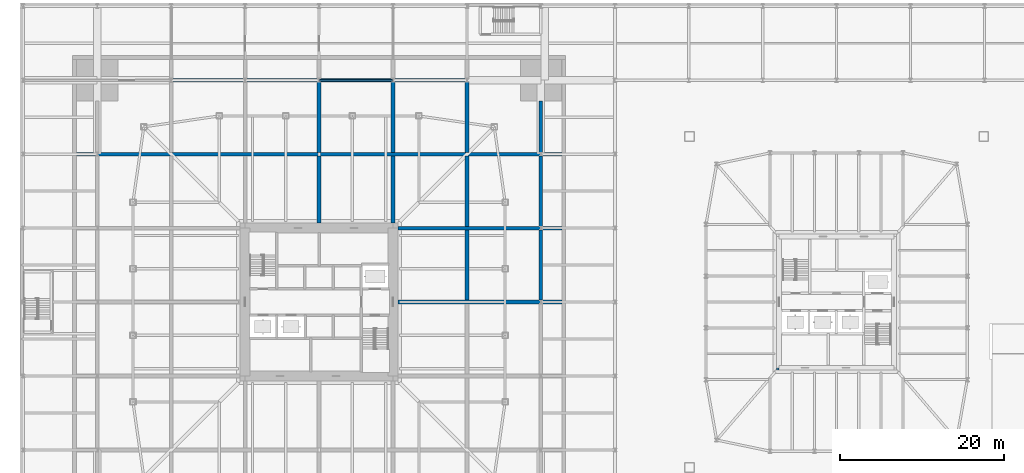
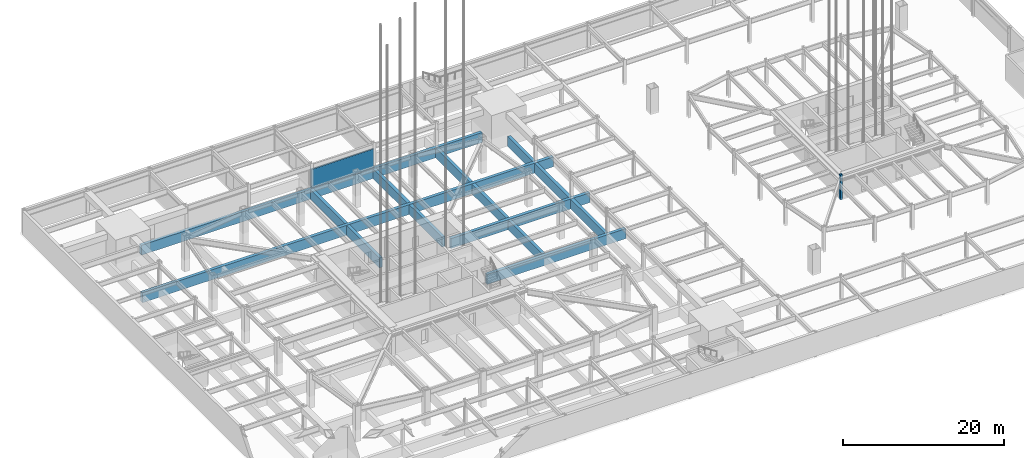
# One storey, part 14 of 35: 16 walls.
"""IFC4 building model written with IfcOpenShell, lengths in metres."""

import ifcopenshell
import ifcopenshell.guid

model = None  # the IFC model being written
_history = None  # IfcOwnerHistory: only IFC2X3 demands one
_inside = {}  # id of a spatial element -> (the spatial element, [elements in it])
_under = {}  # id of a project, library or spatial element -> (it, [spatial elements below it])
_declared = {}  # id of a project -> (the project, [libraries it declares])
_typed = {}  # id of a type object -> (the type object, [elements of that type])
_made_of = {}  # id of a material, layer set ... -> (it, [elements and type objects made of it])


def new_model(schema):
    """Start an empty IFC model of exactly this schema.

    Asked for "IFC4X3", IfcOpenShell would pick the latest addendum, in which some entities
    have other attributes; the version numbers below select the first issue.
    IFC2X3 requires an IfcOwnerHistory on every rooted entity: one is made here for all.
    """
    global model, _history
    if schema == "IFC4X3":
        model = ifcopenshell.file(schema_version=(4, 3, 0, 0))
    else:
        model = ifcopenshell.file(schema=schema)
    _inside.clear()
    _under.clear()
    _declared.clear()
    _typed.clear()
    _made_of.clear()
    _history = None
    if model.schema == "IFC2X3":
        org = make("IfcOrganization", Name="unknown")
        user = make(
            "IfcPersonAndOrganization",
            ThePerson=make("IfcPerson", FamilyName="unknown"),
            TheOrganization=org,
        )
        app = make(
            "IfcApplication",
            ApplicationDeveloper=org,
            Version="unknown",
            ApplicationFullName="unknown",
            ApplicationIdentifier="unknown",
        )
        _history = make(
            "IfcOwnerHistory",
            OwningUser=user,
            OwningApplication=app,
            ChangeAction="ADDED",
            CreationDate=0,
        )
    return model


def make(cls, **values):
    """One entity of the class cls with the attributes given. An attribute that is None is left unset."""
    return model.create_entity(
        cls, **{name: value for name, value in values.items() if value is not None}
    )


def rooted(cls, **values):
    """An entity with a GlobalId (a new one), such as an element, a storey or a relation."""
    return make(cls, GlobalId=ifcopenshell.guid.new(), OwnerHistory=_history, **values)


def si_unit(unit_type, name, prefix=None):
    """IfcSIUnit, for example si_unit("LENGTHUNIT", "METRE", prefix="MILLI")."""
    return make("IfcSIUnit", UnitType=unit_type, Prefix=prefix, Name=name)


def assignment(units):
    """IfcUnitAssignment: the units of a project."""
    return None if units is None else make("IfcUnitAssignment", Units=units)


def point(xyz):
    """IfcCartesianPoint."""
    return None if xyz is None else make("IfcCartesianPoint", Coordinates=xyz)


def direction(xyz):
    """IfcDirection."""
    return None if xyz is None else make("IfcDirection", DirectionRatios=xyz)


def frame(location, z_axis=None, x_axis=None):
    """IfcAxis2Placement3D, a coordinate frame: its origin and axes. An axis left out is left unset."""
    return make(
        "IfcAxis2Placement3D",
        Location=point(location),
        Axis=direction(z_axis),
        RefDirection=direction(x_axis),
    )


def frame_2d(location, x_axis=None):
    """IfcAxis2Placement2D, a coordinate frame in the plane: its origin and x axis."""
    return make(
        "IfcAxis2Placement2D", Location=point(location), RefDirection=direction(x_axis)
    )


def origin():
    """The frame at (0, 0, 0) with its axes left unset."""
    return frame((0.0, 0.0, 0.0))


def place(relative_to, where):
    """IfcLocalPlacement: puts the frame where relative to a parent placement (None: the world)."""
    return make(
        "IfcLocalPlacement", PlacementRelTo=relative_to, RelativePlacement=where
    )


def context(
    kind, dimensions, precision=None, world=None, true_north=None, identifier=None
):
    """IfcGeometricRepresentationContext, for example the 3D "Model" context."""
    return make(
        "IfcGeometricRepresentationContext",
        ContextIdentifier=identifier,
        ContextType=kind,
        CoordinateSpaceDimension=dimensions,
        Precision=precision,
        WorldCoordinateSystem=world,
        TrueNorth=true_north,
    )


def subcontext(parent, identifier, kind, view, scale=None):
    """IfcGeometricRepresentationSubContext, for example "Body" below "Model"."""
    return make(
        "IfcGeometricRepresentationSubContext",
        ContextIdentifier=identifier,
        ContextType=kind,
        ParentContext=parent,
        TargetScale=scale,
        TargetView=view,
    )


def project(units=None, contexts=None):
    """IfcProject with its units and contexts."""
    return rooted(
        "IfcProject",
        Name="project",
        RepresentationContexts=contexts,
        UnitsInContext=assignment(units),
    )


def spatial(cls, under=None, at=None, **own):
    """A site, building, storey or space (cls), placed at a placement, below another one or the project."""
    s = rooted(cls, ObjectPlacement=at, **own)
    if under is not None:
        _under.setdefault(under.id(), (under, []))[1].append(s)
    return s


def profile(cls, at=None, kind="AREA", **sizes):
    """A parametric profile (cls). Its sizes go by their IFC names, for example OverallWidth=200.0."""
    return make(cls, ProfileType=kind, Position=at, **sizes)


def rectangle(**sizes):
    """IfcRectangleProfileDef."""
    return profile("IfcRectangleProfileDef", **sizes)


def extrude(swept, where, along, depth):
    """IfcExtrudedAreaSolid: the profile swept, set in the frame where, extruded along a direction by depth."""
    return make(
        "IfcExtrudedAreaSolid",
        SweptArea=swept,
        Position=where,
        ExtrudedDirection=direction(along),
        Depth=depth,
    )


def shape(context_of_items, identifier, shape_type, items):
    """IfcShapeRepresentation: the items that make up one representation, for example the "Body"."""
    return make(
        "IfcShapeRepresentation",
        ContextOfItems=context_of_items,
        RepresentationIdentifier=identifier,
        RepresentationType=shape_type,
        Items=items,
    )


def material(Name=None, Category=None):
    """IfcMaterial."""
    return make("IfcMaterial", Name=Name, Category=Category)


def layer(
    of_material, thickness, ventilated=None, Name=None, Category=None, Priority=None
):
    """IfcMaterialLayer: one layer of a wall or slab, of a material (None: an air gap)."""
    return make(
        "IfcMaterialLayer",
        Material=of_material,
        LayerThickness=thickness,
        IsVentilated=ventilated,
        Name=Name,
        Category=Category,
        Priority=Priority,
    )


def layer_set(layers, Name=None):
    """IfcMaterialLayerSet."""
    return make("IfcMaterialLayerSet", MaterialLayers=layers, LayerSetName=Name)


def made_of(thing, what):
    """Note that an element or type object is made of a material, layer set ...; save() writes the relation."""
    if what is not None:
        _made_of.setdefault(what.id(), (what, []))[1].append(thing)
    return thing


def type_object(cls, material=None, **own):
    """A type object (cls), such as IfcWallType, which elements share."""
    return made_of(rooted(cls, **own), material)


def element(
    cls,
    number,
    at=None,
    inside=None,
    cuts=None,
    type_object=None,
    material=None,
    context=None,
    identifier="Body",
    shape_type=None,
    held_by="IfcProductDefinitionShape",
    body=None,
    shapes=None,
    **own,
):
    """One element of the class cls, such as IfcWall. Its Tag is "e" and its number.

    at: its placement. inside: the storey or other place that contains it. cuts: it is an
    opening in that element (IfcRelVoidsElement). A single representation is given by context,
    identifier, shape_type and body (its items); several are given by shapes. held_by: the class
    of the entity that holds the representations. save() writes the other relations.
    """
    e = rooted(cls, Tag="e%d" % number, ObjectPlacement=at, **own)
    if body is not None:
        shapes = [shape(context, identifier, shape_type, body)]
    if shapes is not None:
        e.Representation = make(held_by, Representations=shapes)
    if inside is not None:
        _inside.setdefault(inside.id(), (inside, []))[1].append(e)
    if cuts is not None:
        rooted(
            "IfcRelVoidsElement", RelatingBuildingElement=cuts, RelatedOpeningElement=e
        )
    if type_object is not None:
        _typed.setdefault(type_object.id(), (type_object, []))[1].append(e)
    return made_of(e, material)


def aggregate(whole, parts):
    """IfcRelAggregates: a whole, such as a stair, and the parts it consists of."""
    return rooted("IfcRelAggregates", RelatingObject=whole, RelatedObjects=parts)


def save(model, path):
    """Write the relations noted so far, then the file.

    IfcRelAggregates (storeys below a building ...), IfcRelContainedInSpatialStructure (elements
    in a storey), IfcRelDefinesByType, IfcRelAssociatesMaterial and IfcRelDeclares: one each for
    every whole, place, type object, material and project.
    """
    for whole, parts in _under.values():
        aggregate(whole, parts)
    for where, things in _inside.values():
        rooted(
            "IfcRelContainedInSpatialStructure",
            RelatedElements=things,
            RelatingStructure=where,
        )
    for kind, things in _typed.values():
        rooted("IfcRelDefinesByType", RelatedObjects=things, RelatingType=kind)
    for what, things in _made_of.values():
        rooted("IfcRelAssociatesMaterial", RelatedObjects=things, RelatingMaterial=what)
    for by, libraries in _declared.values():
        rooted("IfcRelDeclares", RelatingContext=by, RelatedDefinitions=libraries)
    model.write(path)


model = new_model("IFC4")

# Units and contexts
model_context = context("Model", 3, precision=1e-05, world=origin(), true_north=direction((0.0, 1.0)))
body_context = subcontext(model_context, "Body", "Model", "MODEL_VIEW")
ifc_project = project(units=[si_unit("LENGTHUNIT", "METRE"), si_unit("AREAUNIT", "SQUARE_METRE"), si_unit("VOLUMEUNIT", "CUBIC_METRE"), si_unit("PLANEANGLEUNIT", "RADIAN"), si_unit("MASSUNIT", "GRAM", prefix="KILO")], contexts=[model_context])

# Site, building, storey
site_placement = place(None, origin())
site = spatial("IfcSite", under=ifc_project, at=site_placement, CompositionType="ELEMENT")
building_placement = place(site_placement, origin())
building = spatial("IfcBuilding", under=site, at=building_placement, Name="Iwan Alto Co-Living Towers", CompositionType="ELEMENT")
storey_placement = place(building_placement, frame((0.0, 0.0, -7.199951171875)))
storey = spatial("IfcBuildingStorey", under=building, at=storey_placement, Name="B2", CompositionType="ELEMENT", Elevation=-7.199951171875)

# Walls
ifc_material_1 = material(Name="Concrete f'c 35 MPa", Category="concrete")
ifc_layer_1 = layer(ifc_material_1, 0.449951171875)
ifc_layer_set_1 = layer_set([ifc_layer_1], Name="BOX CELL WALL 450")
wall_type_1 = type_object("IfcWallType", Name="BOX CELL WALL 450", PredefinedType="SOLIDWALL", material=ifc_layer_set_1)
for number, where, z_axis, x_axis, name in (
    (1, (9.60009765625, 0.0, -1.800048828125), (0.0, 0.0, 1.0), (1.0, 0.0, 0.0), "T1 box cell wall on grid E"),
    (2, (9.60009765625, 9.0, -1.800048828125), (0.0, 0.0, 1.0), (1.0, 0.0, 0.0), "T1 box cell wall on grid F"),
):
    element("IfcWall", number, at=place(storey_placement, frame(where, z_axis=z_axis, x_axis=x_axis)), inside=storey, type_object=wall_type_1, Name=name, PredefinedType="SOLIDWALL", context=body_context, shape_type="SweptSolid", body=[
        extrude(rectangle(XDim=19.949951171875, YDim=0.449951171875, at=frame_2d((9.97509765625, 0.0))), origin(), (0.0, 0.0, 1.0), 1.5),
    ])
wall_1_placement = place(storey_placement, frame((-29.550048828125, 18.0, -1.800048828125), z_axis=(0.0, 0.0, 1.0), x_axis=(1.0, 0.0, 0.0)))
element("IfcWall", 3, at=wall_1_placement, inside=storey, type_object=wall_type_1, Name="T1 box cell wall on grid G", PredefinedType="SOLIDWALL", context=body_context, shape_type="SweptSolid", body=[
    extrude(rectangle(XDim=59.10009765625, YDim=0.449951171875, at=frame_2d((29.550048828125, 0.0))), origin(), (0.0, 0.0, 1.0), 1.5),
])
wall_2_placement = place(storey_placement, frame((-24.5, 27.0, -1.800048828125), z_axis=(0.0, 0.0, 1.0), x_axis=(1.0, 0.0, 0.0)))
element("IfcWall", 4, at=wall_2_placement, inside=storey, type_object=wall_type_1, Name="T1 box cell wall on grid H", PredefinedType="SOLIDWALL", context=body_context, shape_type="SweptSolid", body=[
    extrude(rectangle(XDim=49.0, YDim=0.449951171875, at=frame_2d((24.5, 0.0))), origin(), (0.0, 0.0, 1.0), 1.5),
])
wall_3_placement = place(storey_placement, frame((0.0, 9.60009765625, -1.800048828125), z_axis=(0.0, 0.0, 1.0), x_axis=(0.0, 1.0, 0.0)))
element("IfcWall", 5, at=wall_3_placement, inside=storey, type_object=wall_type_1, Name="T1 box cell wall on grid 5", PredefinedType="SOLIDWALL", context=body_context, shape_type="SweptSolid", body=[
    extrude(rectangle(XDim=8.1748046875, YDim=0.449951171875, at=frame_2d((4.08740234375, 0.0))), origin(), (0.0, 0.0, 1.0), 1.5),
])
wall_4_placement = place(storey_placement, frame((0.0, 18.22509765625, -1.800048828125), z_axis=(0.0, 0.0, 1.0), x_axis=(0.0, 1.0, 0.0)))
element("IfcWall", 6, at=wall_4_placement, inside=storey, type_object=wall_type_1, Name="T1 box cell wall on grid 5", PredefinedType="SOLIDWALL", context=body_context, shape_type="SweptSolid", body=[
    extrude(rectangle(XDim=8.5498046875, YDim=0.449951171875, at=frame_2d((4.27490234375, 0.0))), origin(), (0.0, 0.0, 1.0), 1.5),
])
wall_5_placement = place(storey_placement, frame((9.0, 9.60009765625, -1.800048828125), z_axis=(0.0, 0.0, 1.0), x_axis=(0.0, 1.0, 0.0)))
element("IfcWall", 7, at=wall_5_placement, inside=storey, type_object=wall_type_1, Name="T1 box cell wall on grid 6", PredefinedType="SOLIDWALL", context=body_context, shape_type="SweptSolid", body=[
    extrude(rectangle(XDim=8.1748046875, YDim=0.449951171875, at=frame_2d((4.08740234375, 0.0))), origin(), (0.0, 0.0, 1.0), 1.5),
])
for number, where, z_axis, x_axis, name in (
    (8, (9.0, 18.22509765625, -1.800048828125), (0.0, 0.0, 1.0), (0.0, 1.0, 0.0), "T1 box cell wall on grid 6"),
    (9, (18.0, 0.22509765625, -1.800048828125), (0.0, 0.0, 1.0), (0.0, 1.0, 0.0), "T1 box cell wall on grid 7"),
    (10, (18.0, 9.22509765625, -1.800048828125), (0.0, 0.0, 1.0), (0.0, 1.0, 0.0), "T1 box cell wall on grid 7"),
    (11, (18.0, 18.22509765625, -1.800048828125), (0.0, 0.0, 1.0), (0.0, 1.0, 0.0), "T1 box cell wall on grid 7"),
    (12, (27.0, 0.22509765625, -1.800048828125), (0.0, 0.0, 1.0), (0.0, 1.0, 0.0), "T1 box cell wall on grid 8"),
    (13, (27.0, 9.22509765625, -1.800048828125), (0.0, 0.0, 1.0), (0.0, 1.0, 0.0), "T1 box cell wall on grid 8"),
):
    element("IfcWall", number, at=place(storey_placement, frame(where, z_axis=z_axis, x_axis=x_axis)), inside=storey, type_object=wall_type_1, Name=name, PredefinedType="SOLIDWALL", context=body_context, shape_type="SweptSolid", body=[
        extrude(rectangle(XDim=8.5498046875, YDim=0.449951171875, at=frame_2d((4.27490234375, 0.0))), origin(), (0.0, 0.0, 1.0), 1.5),
    ])
wall_6_placement = place(storey_placement, frame((27.0, 18.22509765625, -1.800048828125), z_axis=(0.0, 0.0, 1.0), x_axis=(0.0, 1.0, 0.0)))
element("IfcWall", 14, at=wall_6_placement, inside=storey, type_object=wall_type_1, Name="T1 box cell wall on grid 8", PredefinedType="SOLIDWALL", context=body_context, shape_type="SweptSolid", body=[
    extrude(rectangle(XDim=6.27490234375, YDim=0.449951171875, at=frame_2d((3.137451171875, 0.0))), origin(), (0.0, 0.0, 1.0), 1.5),
])
ifc_material_2 = material(Name="Concrete block masonry f*p 10 MPa", Category="masonry")
ifc_layer_2 = layer(ifc_material_2, 0.199951171875)
ifc_layer_set_2 = layer_set([ifc_layer_2], Name="PODIUM INTERNAL WALL 200")
wall_type_2 = type_object("IfcWallType", Name="PODIUM INTERNAL WALL 200", PredefinedType="SOLIDWALL", material=ifc_layer_set_2)
wall_7_placement = place(storey_placement, frame((0.0, 27.0, -0.300048828125), z_axis=(0.0, 0.0, 1.0), x_axis=(1.0, 0.0, 0.0)))
element("IfcWall", 15, at=wall_7_placement, inside=storey, type_object=wall_type_2, Name="Partition B2", PredefinedType="SOLIDWALL", context=body_context, shape_type="SweptSolid", body=[
    extrude(rectangle(XDim=9.0, YDim=0.199951171875, at=frame_2d((4.5, 0.0))), origin(), (0.0, 0.0, 1.0), 2.88037109375),
])
ifc_material_3 = material(Name="Concrete f'c 70 MPa", Category="concrete")
ifc_layer_3 = layer(ifc_material_3, 0.300048828125)
ifc_layer_set_3 = layer_set([ifc_layer_3], Name="T2 CORE CORNER FILL 300")
wall_type_3 = type_object("IfcWallType", Name="T2 CORE CORNER FILL 300", PredefinedType="SOLIDWALL", material=ifc_layer_set_3)
wall_8_placement = place(storey_placement, frame((55.699951171875, -8.14990234375, -0.25), z_axis=(0.0, 0.0, 1.0), x_axis=(1.0, 0.0, 0.0)))
element("IfcWall", 16, at=wall_8_placement, inside=storey, type_object=wall_type_3, Name="T2 core corner SW B2", PredefinedType="SOLIDWALL", context=body_context, shape_type="SweptSolid", body=[
    extrude(rectangle(XDim=0.300048828125, YDim=0.300048828125, at=frame_2d((0.14990234375, 0.0))), origin(), (0.0, 0.0, 1.0), 3.849853515625),
])

save(model, "model.ifc")
